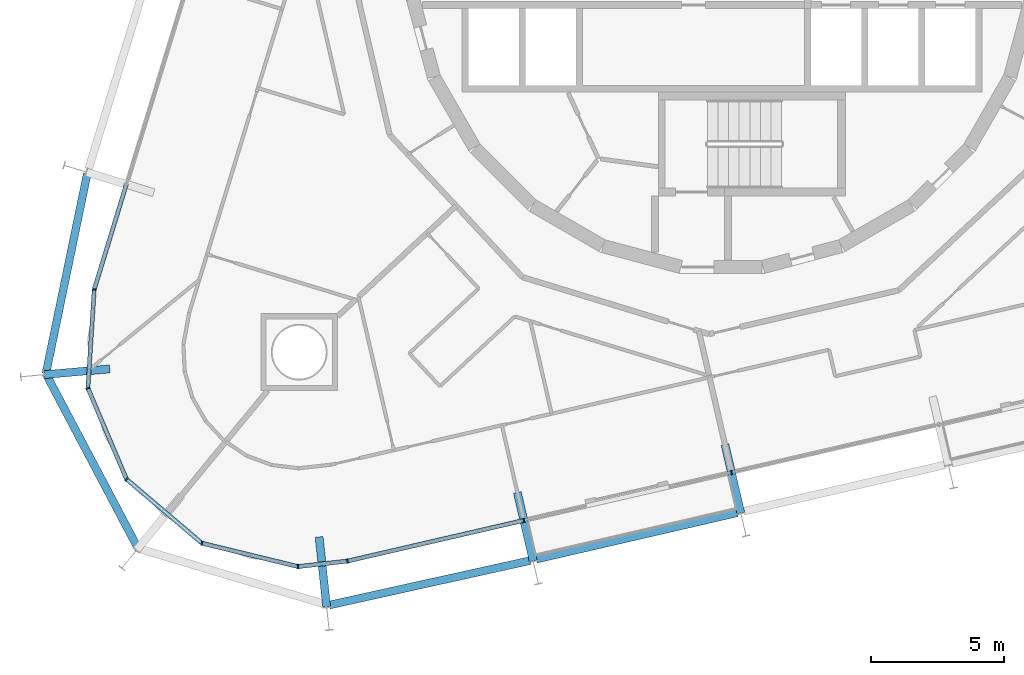
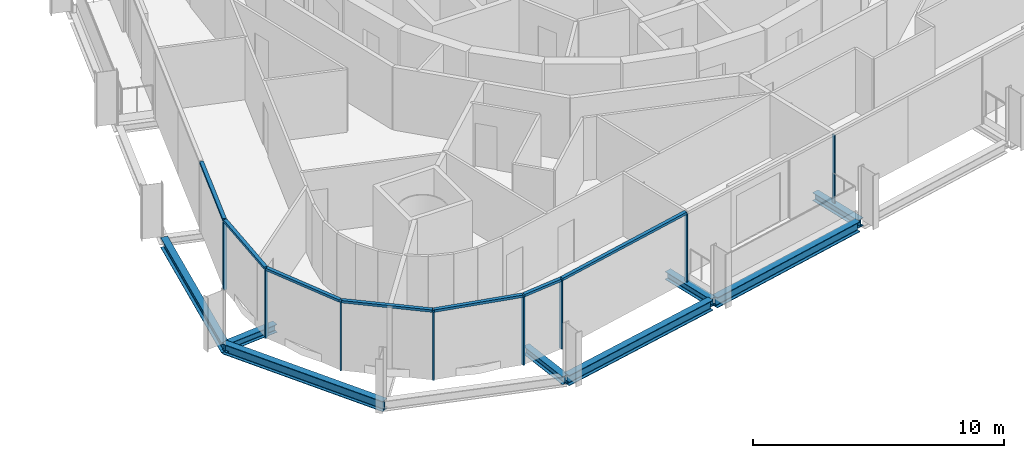
# One storey, part 3 of 18: 15 members, 8 beams, 2 elements without a shape of their own.
"""IFC4 building model written with IfcOpenShell, lengths in metres."""

from ifc_helpers import new_model, si_unit, direction, frame, origin, origin_2d, place, context, subcontext, project, spatial, rectangle, i_section, extrude, material, layer, layer_set, material_profile, profile_set, type_object, element, aggregate, save


model = new_model("IFC4")

# Units and contexts
model_context = context("Model", 3, precision=1e-05, world=origin(), true_north=direction((0.0, 1.0)))
body_context = subcontext(model_context, "Body", "Model", "MODEL_VIEW")
ifc_project = project(units=[si_unit("LENGTHUNIT", "METRE"), si_unit("AREAUNIT", "SQUARE_METRE"), si_unit("VOLUMEUNIT", "CUBIC_METRE"), si_unit("PLANEANGLEUNIT", "RADIAN"), si_unit("MASSUNIT", "GRAM", prefix="KILO")], contexts=[model_context])

# Site, building, storey
site_placement = place(None, origin())
site = spatial("IfcSite", under=ifc_project, at=site_placement, CompositionType="ELEMENT")
building_placement = place(site_placement, origin())
building = spatial("IfcBuilding", under=site, at=building_placement, Name="Spindle Arch Residences", CompositionType="ELEMENT")
storey_placement = place(building_placement, frame((0.0, 0.0, 141.39990234375)))
storey = spatial("IfcBuildingStorey", under=building, at=storey_placement, Name="L35", CompositionType="ELEMENT", Elevation=141.39990234375)

# Curtain wall, members
ifc_material_1 = material(Name="Aluminium bronze unitised frame with tinted glass", Category="aluminium")
ifc_layer_1 = layer(ifc_material_1, 0.159912109375)
ifc_layer_set_1 = layer_set([ifc_layer_1], Name="CW-D corner wall on the fillet arcs")
curtain_wall_type_1 = type_object("IfcCurtainWallType", Name="CW-D corner wall on the fillet arcs", PredefinedType="NOTDEFINED", material=ifc_layer_set_1)
curtain_wall_1_placement = place(storey_placement, origin())
curtain_wall_1 = element("IfcCurtainWall", 1, at=curtain_wall_1_placement, inside=storey, type_object=curtain_wall_type_1, Name="CW-D L35 run 5", PredefinedType="NOTDEFINED")
ifc_material_2 = material(Name="Aluminium bronze anodised mullion", Category="aluminium")
ifc_material_profile_1 = material_profile(ifc_material_2, rectangle(XDim=0.159912109375, YDim=0.06005859375, at=origin_2d()), Name="MU 60x160")
ifc_profile_set_1 = profile_set([ifc_material_profile_1], Name="Aluminium bronze anodised mullion")
member_type_1 = type_object("IfcMemberType", Name="Bronze mullion 60x160", PredefinedType="MULLION", material=ifc_profile_set_1)
member_1_placement = place(storey_placement, frame((-23.6572265625, -12.49267578125, -0.3798828125), z_axis=(0.0, 0.0, 1.0), x_axis=(0.997952993046, -0.063951729226, 0.0)))
member_1 = element("IfcMember", 2, at=member_1_placement, type_object=member_type_1, Name="CW-D mullion 01", PredefinedType="MULLION", context=body_context, shape_type="SweptSolid", body=[
    extrude(rectangle(XDim=0.159912109375, YDim=0.06005859375, at=origin_2d()), origin(), (0.0, 0.0, 1.0), 3.31005859375),
])
member_2_placement = place(storey_placement, frame((-23.8955078125, -16.2119140625, -0.3798828125), z_axis=(0.0, 0.0, 1.0), x_axis=(0.920504854032, 0.390731127124, 0.0)))
member_2 = element("IfcMember", 3, at=member_2_placement, type_object=member_type_1, Name="CW-D mullion 02", PredefinedType="MULLION", context=body_context, shape_type="SweptSolid", body=[
    extrude(rectangle(XDim=0.159912109375, YDim=0.06005859375, at=origin_2d()), origin(), (0.0, 0.0, 1.0), 3.31005859375),
])
member_3_placement = place(storey_placement, frame((-22.439208984375, -19.642333984375, -0.3798828125), z_axis=(0.0, 0.0, 1.0), x_axis=(0.647233374321, 0.762291912042, 0.0)))
member_3 = element("IfcMember", 4, at=member_3_placement, type_object=member_type_1, Name="CW-D mullion 03", PredefinedType="MULLION", context=body_context, shape_type="SweptSolid", body=[
    extrude(rectangle(XDim=0.159912109375, YDim=0.06005859375, at=origin_2d()), origin(), (0.0, 0.0, 1.0), 3.31005859375),
])
member_4_placement = place(storey_placement, frame((-19.598388671875, -22.054443359375, -0.3798828125), z_axis=(0.0, 0.0, 1.0), x_axis=(0.23627288281, 0.971686742139, 0.0)))
member_4 = element("IfcMember", 5, at=member_4_placement, type_object=member_type_1, Name="CW-D mullion 04", PredefinedType="MULLION", context=body_context, shape_type="SweptSolid", body=[
    extrude(rectangle(XDim=0.159912109375, YDim=0.06005859375, at=origin_2d()), origin(), (0.0, 0.0, 1.0), 3.31005859375),
])
member_5_placement = place(storey_placement, frame((-15.977294921875, -22.93505859375, -0.3798828125), z_axis=(0.0, 0.0, 1.0), x_axis=(-0.110312554381, 0.993896946542, 0.0)))
member_5 = element("IfcMember", 6, at=member_5_placement, type_object=member_type_1, Name="CW-D mullion 05", PredefinedType="MULLION", context=body_context, shape_type="SweptSolid", body=[
    extrude(rectangle(XDim=0.159912109375, YDim=0.06005859375, at=origin_2d()), origin(), (0.0, 0.0, 1.0), 3.31005859375),
])
member_6_placement = place(storey_placement, frame((-14.112548828125, -22.72802734375, -0.3798828125), z_axis=(0.0, 0.0, 1.0), x_axis=(-0.224951054344, 0.974370064785, 0.0)))
member_6 = element("IfcMember", 7, at=member_6_placement, type_object=member_type_1, Name="CW-D mullion 06", PredefinedType="MULLION", context=body_context, shape_type="SweptSolid", body=[
    extrude(rectangle(XDim=0.159912109375, YDim=0.06005859375, at=origin_2d()), origin(), (0.0, 0.0, 1.0), 3.31005859375),
])

ifc_material_3 = material(Name="Aluminium bronze unitised frame with tinted glass", Category="aluminium")
ifc_layer_2 = layer(ifc_material_3, 0.159912109375)
ifc_layer_set_2 = layer_set([ifc_layer_2], Name="CW-C typical residential unitised wall")
curtain_wall_type_2 = type_object("IfcCurtainWallType", Name="CW-C typical residential unitised wall", PredefinedType="NOTDEFINED", material=ifc_layer_set_2)
curtain_wall_2_placement = place(storey_placement, origin())
curtain_wall_2 = element("IfcCurtainWall", 8, at=curtain_wall_2_placement, inside=storey, type_object=curtain_wall_type_2, Name="CW-C L35 run 6", PredefinedType="NOTDEFINED")
member_7_placement = place(storey_placement, frame((-7.467529296875, -21.19384765625, -0.3798828125), z_axis=(0.0, 0.0, 1.0), x_axis=(-0.224951054344, 0.974370064785, 0.0)))
member_7 = element("IfcMember", 9, at=member_7_placement, type_object=member_type_1, Name="CW-C mullion 20", PredefinedType="MULLION", context=body_context, shape_type="SweptSolid", body=[
    extrude(rectangle(XDim=0.159912109375, YDim=0.06005859375, at=origin_2d()), origin(), (0.0, 0.0, 1.0), 3.31005859375),
])
member_8_placement = place(storey_placement, frame((0.355712890625, -19.3876953125, -0.3798828125), z_axis=(0.0, 0.0, 1.0), x_axis=(-0.224951054344, 0.974370064785, 0.0)))
member_8 = element("IfcMember", 10, at=member_8_placement, type_object=member_type_1, Name="CW-C mullion 21", PredefinedType="MULLION", context=body_context, shape_type="SweptSolid", body=[
    extrude(rectangle(XDim=0.159912109375, YDim=0.06005859375, at=origin_2d()), origin(), (0.0, 0.0, 1.0), 3.31005859375),
])
aggregate(curtain_wall_2, [member_7, member_8])

# Member
ifc_material_4 = material(Name="Aluminium bronze anodised transom", Category="aluminium")
ifc_material_profile_2 = material_profile(ifc_material_4, rectangle(XDim=0.159912109375, YDim=0.1201171875, at=origin_2d()), Name="TR 120x160")
ifc_profile_set_2 = profile_set([ifc_material_profile_2], Name="Aluminium bronze anodised transom")
member_type_2 = type_object("IfcMemberType", Name="Bronze transom 120x160", PredefinedType="USERDEFINED", material=ifc_profile_set_2)
member_9_placement = place(storey_placement, frame((-22.45458984375, -8.55908203125, 2.989990234375), z_axis=(-0.292362833345, -0.95630746817, 0.0), x_axis=(0.95630746817, -0.292362833345, 0.0)))
member_9 = element("IfcMember", 11, at=member_9_placement, type_object=member_type_2, Name="CW-D transom 00", ObjectType="TRANSOM", PredefinedType="USERDEFINED", context=body_context, shape_type="SweptSolid", body=[
    extrude(rectangle(XDim=0.159912109375, YDim=0.1201171875, at=origin_2d()), origin(), (0.0, 0.0, 1.0), 4.08349609375),
])

member_10_placement = place(storey_placement, frame((-23.6591796875, -12.522705078125, 2.989990234375), z_axis=(-0.063920256807, -0.997955009392, 0.0), x_axis=(0.997955009392, -0.063920256807, 0.0)))
member_10 = element("IfcMember", 12, at=member_10_placement, type_object=member_type_2, Name="CW-D transom 01", ObjectType="TRANSOM", PredefinedType="USERDEFINED", context=body_context, shape_type="SweptSolid", body=[
    extrude(rectangle(XDim=0.159912109375, YDim=0.1201171875, at=origin_2d()), origin(), (0.0, 0.0, 1.0), 3.666748046875),
])

member_11_placement = place(storey_placement, frame((-23.8837890625, -16.239501953125, 2.989990234375), z_axis=(0.39076699022, -0.920489630226, 0.0), x_axis=(0.920489630226, 0.39076699022, 0.0)))
member_11 = element("IfcMember", 13, at=member_11_placement, type_object=member_type_2, Name="CW-D transom 02", ObjectType="TRANSOM", PredefinedType="USERDEFINED", context=body_context, shape_type="SweptSolid", body=[
    extrude(rectangle(XDim=0.159912109375, YDim=0.1201171875, at=origin_2d()), origin(), (0.0, 0.0, 1.0), 3.666748046875),
])

member_12_placement = place(storey_placement, frame((-22.41650390625, -19.661865234375, 2.989990234375), z_axis=(0.762289120673, -0.647236661897, 0.0), x_axis=(0.647236661897, 0.762289120673, 0.0)))
member_12 = element("IfcMember", 14, at=member_12_placement, type_object=member_type_2, Name="CW-D transom 03", ObjectType="TRANSOM", PredefinedType="USERDEFINED", context=body_context, shape_type="SweptSolid", body=[
    extrude(rectangle(XDim=0.159912109375, YDim=0.1201171875, at=origin_2d()), origin(), (0.0, 0.0, 1.0), 3.666748046875),
])

member_13_placement = place(storey_placement, frame((-19.5693359375, -22.0615234375, 2.989990234375), z_axis=(0.971681239144, -0.236295513068, 0.0), x_axis=(0.236295513068, 0.971681239144, 0.0)))
member_13 = element("IfcMember", 15, at=member_13_placement, type_object=member_type_2, Name="CW-D transom 04", ObjectType="TRANSOM", PredefinedType="USERDEFINED", context=body_context, shape_type="SweptSolid", body=[
    extrude(rectangle(XDim=0.159912109375, YDim=0.1201171875, at=origin_2d()), origin(), (0.0, 0.0, 1.0), 3.666748046875),
])

member_14_placement = place(storey_placement, frame((-15.947509765625, -22.931640625, 2.989990234375), z_axis=(0.993906663087, 0.110224974808, 0.0), x_axis=(-0.110224974808, 0.993906663087, 0.0)))
member_14 = element("IfcMember", 16, at=member_14_placement, type_object=member_type_2, Name="CW-D transom 05", ObjectType="TRANSOM", PredefinedType="USERDEFINED", context=body_context, shape_type="SweptSolid", body=[
    extrude(rectangle(XDim=0.159912109375, YDim=0.1201171875, at=origin_2d()), origin(), (0.0, 0.0, 1.0), 1.816162109375),
])

member_15_placement = place(storey_placement, frame((-14.083251953125, -22.721435546875, 2.989990234375), z_axis=(0.974365014398, 0.224972928856, 0.0), x_axis=(-0.224972928856, 0.974365014398, 0.0)))
member_15 = element("IfcMember", 17, at=member_15_placement, type_object=member_type_2, Name="CW-D transom 06", ObjectType="TRANSOM", PredefinedType="USERDEFINED", context=body_context, shape_type="SweptSolid", body=[
    extrude(rectangle(XDim=0.159912109375, YDim=0.1201171875, at=origin_2d()), origin(), (0.0, 0.0, 1.0), 6.759765625),
])

aggregate(curtain_wall_1, [member_9, member_1, member_10, member_2, member_11, member_3, member_12, member_4, member_13, member_5, member_14, member_6, member_15])

# Beams
ifc_material_5 = material(Name="Steel S460ML, intumescent coating R 120", Category="steel")
ifc_material_profile_3 = material_profile(ifc_material_5, i_section(OverallWidth=0.300048828125, OverallDepth=0.5, WebThickness=0.014404296875, FlangeThickness=0.028076171875, FilletRadius=0.027099609375, at=origin_2d()), Name="HEB 500")
ifc_profile_set_3 = profile_set([ifc_material_profile_3], Name="Steel S460ML, intumescent coating R 120")
beam_type_1 = type_object("IfcBeamType", Name="Exoskeleton edge beam HEB 500", PredefinedType="BEAM", material=ifc_profile_set_3)
beam_1_placement = place(storey_placement, frame((-23.91650390625, -8.1181640625, -0.6298828125), z_axis=(-0.202483065161, -0.979285764383, 0.0), x_axis=(0.979285764383, -0.202483065161, 0.0)))
element("IfcBeam", 18, at=beam_1_placement, inside=storey, type_object=beam_type_1, Name="Exoskeleton edge beam 17", PredefinedType="BEAM", context=body_context, shape_type="SweptSolid", body=[
    extrude(i_section(OverallWidth=0.300048828125, OverallDepth=0.5, WebThickness=0.014404296875, FlangeThickness=0.028076171875, FilletRadius=0.027099609375, at=origin_2d()), origin(), (0.0, 0.0, 1.0), 7.708251953125),
])
beam_2_placement = place(storey_placement, frame((-25.4970703125, -15.62939453125, -0.6298828125), z_axis=(0.466652663296, -0.884440666093, 0.0), x_axis=(0.884440666093, 0.466652663296, 0.0)))
element("IfcBeam", 19, at=beam_2_placement, inside=storey, type_object=beam_type_1, Name="Exoskeleton edge beam 18", PredefinedType="BEAM", context=body_context, shape_type="SweptSolid", body=[
    extrude(i_section(OverallWidth=0.300048828125, OverallDepth=0.5, WebThickness=0.014404296875, FlangeThickness=0.028076171875, FilletRadius=0.027099609375, at=origin_2d()), origin(), (0.0, 0.0, 1.0), 7.559326171875),
])
beam_3_placement = place(storey_placement, frame((-14.804443359375, -24.385986328125, -0.6298828125), z_axis=(0.97635466486, 0.216174856093, 0.0), x_axis=(-0.216174856093, 0.97635466486, 0.0)))
element("IfcBeam", 20, at=beam_3_placement, inside=storey, type_object=beam_type_1, Name="Exoskeleton edge beam 20", PredefinedType="BEAM", context=body_context, shape_type="SweptSolid", body=[
    extrude(i_section(OverallWidth=0.300048828125, OverallDepth=0.5, WebThickness=0.014404296875, FlangeThickness=0.028076171875, FilletRadius=0.027099609375, at=origin_2d()), origin(), (0.0, 0.0, 1.0), 7.7666015625),
])
beam_4_placement = place(storey_placement, frame((-6.99658203125, -22.655517578125, -0.6298828125), z_axis=(0.974365237053, 0.224971964525, 0.0), x_axis=(-0.224971964525, 0.974365237053, 0.0)))
element("IfcBeam", 21, at=beam_4_placement, inside=storey, type_object=beam_type_1, Name="Exoskeleton edge beam 21", PredefinedType="BEAM", context=body_context, shape_type="SweptSolid", body=[
    extrude(i_section(OverallWidth=0.300048828125, OverallDepth=0.5, WebThickness=0.014404296875, FlangeThickness=0.028076171875, FilletRadius=0.027099609375, at=origin_2d()), origin(), (0.0, 0.0, 1.0), 7.76904296875),
])
ifc_material_6 = material(Name="Steel S460ML, intumescent coating R 120", Category="steel")
ifc_material_profile_4 = material_profile(ifc_material_6, i_section(OverallWidth=0.300048828125, OverallDepth=0.389892578125, WebThickness=0.010986328125, FlangeThickness=0.01904296875, FilletRadius=0.027099609375, at=origin_2d()), Name="HEA 400")
ifc_profile_set_4 = profile_set([ifc_material_profile_4], Name="Steel S460ML, intumescent coating R 120")
beam_type_2 = type_object("IfcBeamType", Name="Floor outrigger HEA 400", PredefinedType="BEAM", material=ifc_profile_set_4)
beam_5_placement = place(storey_placement, frame((-25.542724609375, -15.703369140625, -0.574951171875), z_axis=(0.996132127572, 0.087867994282, 0.0), x_axis=(-0.087867994282, 0.996132127572, 0.0)))
element("IfcBeam", 22, at=beam_5_placement, inside=storey, type_object=beam_type_2, Name="Floor outrigger 18", PredefinedType="BEAM", context=body_context, shape_type="SweptSolid", body=[
    extrude(i_section(OverallWidth=0.300048828125, OverallDepth=0.389892578125, WebThickness=0.010986328125, FlangeThickness=0.01904296875, FilletRadius=0.027099609375, at=origin_2d()), origin(), (0.0, 0.0, 1.0), 2.48388671875),
])
for number, where, z_axis, x_axis, name in (
    (23, (-14.898193359375, -24.44970703125, -0.574951171875), (-0.106962509845, 0.994263054472, 0.0), (-0.994263054472, -0.106962509845, 0.0), "Floor outrigger 20"),
    (24, (-7.1142578125, -22.7236328125, -0.574951171875), (-0.224980619228, 0.974363238721, 0.0), (-0.974363238721, -0.224980619228, 0.0), "Floor outrigger 21"),
    (25, (0.708984375, -20.91748046875, -0.574951171875), (-0.224980619228, 0.974363238721, 0.0), (-0.974363238721, -0.224980619228, 0.0), "Floor outrigger 22"),
):
    element("IfcBeam", number, at=place(storey_placement, frame(where, z_axis=z_axis, x_axis=x_axis)), inside=storey, type_object=beam_type_2, Name=name, PredefinedType="BEAM", context=body_context, shape_type="SweptSolid", body=[
        extrude(i_section(OverallWidth=0.300048828125, OverallDepth=0.389892578125, WebThickness=0.010986328125, FlangeThickness=0.01904296875, FilletRadius=0.027099609375, at=origin_2d()), origin(), (0.0, 0.0, 1.0), 2.64990234375),
    ])

save(model, "model.ifc")
